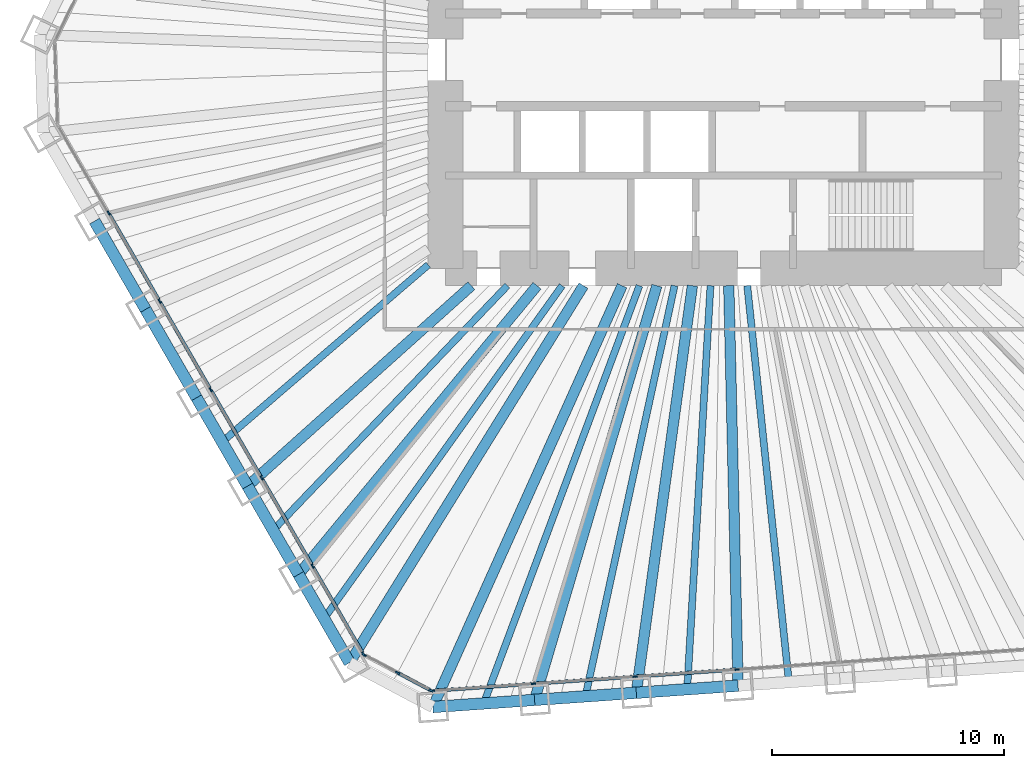
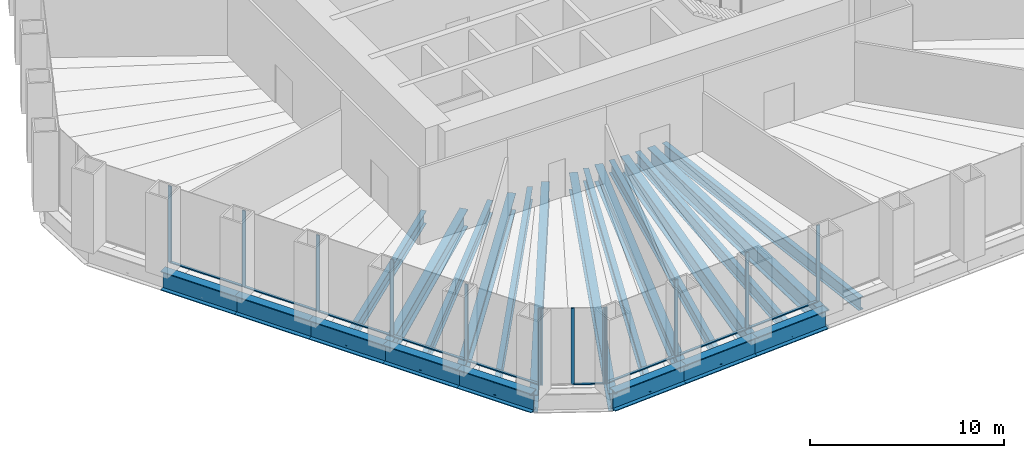
# One storey, part 2 of 13: 22 beams, 22 members, 3 elements without a shape of their own.
"""IFC4 building model written with IfcOpenShell, lengths in metres."""

from ifc_helpers import new_model, si_unit, direction, frame, origin, origin_2d, place, context, subcontext, project, spatial, rectangle, i_section, extrude, material, material_profile, profile_set, type_object, element, aggregate, save


model = new_model("IFC4")

# Units and contexts
model_context = context("Model", 3, precision=1e-05, world=origin(), true_north=direction((0.0, 1.0)))
body_context = subcontext(model_context, "Body", "Model", "MODEL_VIEW")
ifc_project = project(units=[si_unit("LENGTHUNIT", "METRE"), si_unit("AREAUNIT", "SQUARE_METRE"), si_unit("VOLUMEUNIT", "CUBIC_METRE"), si_unit("PLANEANGLEUNIT", "RADIAN"), si_unit("MASSUNIT", "GRAM", prefix="KILO")], contexts=[model_context])

# Site, building, storey
site_placement = place(None, origin())
site = spatial("IfcSite", under=ifc_project, at=site_placement, CompositionType="ELEMENT")
building_placement = place(site_placement, origin())
building = spatial("IfcBuilding", under=site, at=building_placement, Name="Qingtian Harvest Tower", CompositionType="ELEMENT")
storey_placement = place(building_placement, frame((0.0, 0.0, 77.0)))
storey = spatial("IfcBuildingStorey", under=building, at=storey_placement, Name="L15", CompositionType="ELEMENT", Elevation=77.0)

# Beams
ifc_material_1 = material(Name="Steel SM570MC", Category="steel")
ifc_material_profile_1 = material_profile(ifc_material_1, i_section(OverallWidth=0.449951171875, OverallDepth=1.10009765625, WebThickness=0.02197265625, FlangeThickness=0.044921875, at=origin_2d()), Name="H1100x450x22x45")
ifc_profile_set_1 = profile_set([ifc_material_profile_1], Name="Steel SM570MC")
beam_type_1 = type_object("IfcBeamType", Name="Corner floor beam FB8 H1100x450x22x45", PredefinedType="BEAM", material=ifc_profile_set_1)
beam_1_placement = place(storey_placement, frame((-12.552734375, -27.943603515625, -0.75), z_axis=(0.409769605538, 0.912189054077, 0.0), x_axis=(-0.912189054077, 0.409769605538, 0.0)))
element("IfcBeam", 1, at=beam_1_placement, inside=storey, type_object=beam_type_1, Name="Floor beam FB8 S6", PredefinedType="BEAM", context=body_context, shape_type="SweptSolid", body=[
    extrude(i_section(OverallWidth=0.449951171875, OverallDepth=1.10009765625, WebThickness=0.02197265625, FlangeThickness=0.044921875, at=origin_2d()), origin(), (0.0, 0.0, 1.0), 19.945068359375),
])
beam_2_placement = place(storey_placement, frame((-16.14697265625, -26.03271484375, -0.75), z_axis=(0.5270935495, 0.849807266429, 0.0), x_axis=(-0.849807266429, 0.5270935495, 0.0)))
element("IfcBeam", 2, at=beam_2_placement, inside=storey, type_object=beam_type_1, Name="Floor beam FB8 SW0", PredefinedType="BEAM", context=body_context, shape_type="SweptSolid", body=[
    extrude(i_section(OverallWidth=0.449951171875, OverallDepth=1.10009765625, WebThickness=0.02197265625, FlangeThickness=0.044921875, at=origin_2d()), origin(), (0.0, 0.0, 1.0), 19.160400390625),
])
ifc_material_2 = material(Name="Steel SM570MC", Category="steel")
ifc_material_profile_2 = material_profile(ifc_material_2, i_section(OverallWidth=0.449951171875, OverallDepth=1.10009765625, WebThickness=0.02197265625, FlangeThickness=0.044921875, at=origin_2d()), Name="H1100x450x22x45")
ifc_profile_set_2 = profile_set([ifc_material_profile_2], Name="Steel SM570MC")
beam_type_2 = type_object("IfcBeamType", Name="Floor beam FB1 H1100x450x22x45", PredefinedType="BEAM", material=ifc_profile_set_2)
beam_3_placement = place(storey_placement, frame((0.62890625, -27.02197265625, -0.75), z_axis=(-0.023274161941, 0.999729120005, 0.0), x_axis=(-0.999729120005, -0.023274161941, 0.0)))
element("IfcBeam", 3, at=beam_3_placement, inside=storey, type_object=beam_type_2, Name="Floor beam FB1 S3", PredefinedType="BEAM", context=body_context, shape_type="SweptSolid", body=[
    extrude(i_section(OverallWidth=0.449951171875, OverallDepth=1.10009765625, WebThickness=0.02197265625, FlangeThickness=0.044921875, at=origin_2d()), origin(), (0.0, 0.0, 1.0), 17.276611328125),
])
beam_4_placement = place(storey_placement, frame((-3.76513671875, -27.3291015625, -0.75), z_axis=(0.136480966577, 0.990642693287, 0.0), x_axis=(-0.990642693287, 0.136480966577, 0.0)))
element("IfcBeam", 4, at=beam_4_placement, inside=storey, type_object=beam_type_2, Name="Floor beam FB1 S4", PredefinedType="BEAM", context=body_context, shape_type="SweptSolid", body=[
    extrude(i_section(OverallWidth=0.449951171875, OverallDepth=1.10009765625, WebThickness=0.02197265625, FlangeThickness=0.044921875, at=origin_2d()), origin(), (0.0, 0.0, 1.0), 17.7451171875),
])
beam_5_placement = place(storey_placement, frame((-8.158935546875, -27.636474609375, -0.75), z_axis=(0.283142824758, 0.95907775534, 0.0), x_axis=(-0.95907775534, 0.283142824758, 0.0)))
element("IfcBeam", 5, at=beam_5_placement, inside=storey, type_object=beam_type_2, Name="Floor beam FB1 S5", PredefinedType="BEAM", context=body_context, shape_type="SweptSolid", body=[
    extrude(i_section(OverallWidth=0.449951171875, OverallDepth=1.10009765625, WebThickness=0.02197265625, FlangeThickness=0.044921875, at=origin_2d()), origin(), (0.0, 0.0, 1.0), 18.649658203125),
])
beam_6_placement = place(storey_placement, frame((-18.349365234375, -22.21826171875, -0.75), z_axis=(0.636780387972, 0.771045224026, 0.0), x_axis=(-0.771045224026, 0.636780387972, 0.0)))
element("IfcBeam", 6, at=beam_6_placement, inside=storey, type_object=beam_type_2, Name="Floor beam FB1 SW1", PredefinedType="BEAM", context=body_context, shape_type="SweptSolid", body=[
    extrude(i_section(OverallWidth=0.449951171875, OverallDepth=1.10009765625, WebThickness=0.02197265625, FlangeThickness=0.044921875, at=origin_2d()), origin(), (0.0, 0.0, 1.0), 16.170654296875),
])
beam_7_placement = place(storey_placement, frame((-20.551513671875, -18.403564453125, -0.75), z_axis=(0.744965104975, 0.667103434536, 0.0), x_axis=(-0.667103434536, 0.744965104975, 0.0)))
element("IfcBeam", 7, at=beam_7_placement, inside=storey, type_object=beam_type_2, Name="Floor beam FB1 SW2", PredefinedType="BEAM", context=body_context, shape_type="SweptSolid", body=[
    extrude(i_section(OverallWidth=0.449951171875, OverallDepth=1.10009765625, WebThickness=0.02197265625, FlangeThickness=0.044921875, at=origin_2d()), origin(), (0.0, 0.0, 1.0), 12.971923828125),
])
ifc_material_3 = material(Name="Steel SN490B", Category="steel")
ifc_material_profile_3 = material_profile(ifc_material_3, i_section(OverallWidth=0.300048828125, OverallDepth=0.800048828125, WebThickness=0.013916015625, FlangeThickness=0.02587890625, at=origin_2d()), Name="H800x300x14x26")
ifc_profile_set_3 = profile_set([ifc_material_profile_3], Name="Steel SN490B")
beam_type_3 = type_object("IfcBeamType", Name="Floor joist J1 H800x300x14x26", PredefinedType="JOIST", material=ifc_profile_set_3)
beam_8_placement = place(storey_placement, frame((2.82568359375, -26.868408203125, -0.60009765625), z_axis=(-0.104590278152, 0.99451539642, 0.0), x_axis=(-0.99451539642, -0.104590278152, 0.0)))
element("IfcBeam", 8, at=beam_8_placement, inside=storey, type_object=beam_type_3, Name="Floor joist J1 S2", PredefinedType="JOIST", context=body_context, shape_type="SweptSolid", body=[
    extrude(i_section(OverallWidth=0.300048828125, OverallDepth=0.800048828125, WebThickness=0.013916015625, FlangeThickness=0.02587890625, at=origin_2d()), origin(), (0.0, 0.0, 1.0), 17.212890625),
])
beam_9_placement = place(storey_placement, frame((-1.568115234375, -27.175537109375, -0.60009765625), z_axis=(0.057613424947, 0.998338967118, 0.0), x_axis=(-0.998338967118, 0.057613424947, 0.0)))
element("IfcBeam", 9, at=beam_9_placement, inside=storey, type_object=beam_type_3, Name="Floor joist J1 S3", PredefinedType="JOIST", context=body_context, shape_type="SweptSolid", body=[
    extrude(i_section(OverallWidth=0.300048828125, OverallDepth=0.800048828125, WebThickness=0.013916015625, FlangeThickness=0.02587890625, at=origin_2d()), origin(), (0.0, 0.0, 1.0), 17.45458984375),
])
beam_10_placement = place(storey_placement, frame((-5.9619140625, -27.48291015625, -0.60009765625), z_axis=(0.211992805661, 0.977271226604, 0.0), x_axis=(-0.977271226604, 0.211992805661, 0.0)))
element("IfcBeam", 10, at=beam_10_placement, inside=storey, type_object=beam_type_3, Name="Floor joist J1 S4", PredefinedType="JOIST", context=body_context, shape_type="SweptSolid", body=[
    extrude(i_section(OverallWidth=0.300048828125, OverallDepth=0.800048828125, WebThickness=0.013916015625, FlangeThickness=0.02587890625, at=origin_2d()), origin(), (0.0, 0.0, 1.0), 18.145263671875),
])
beam_11_placement = place(storey_placement, frame((-10.35595703125, -27.7900390625, -0.60009765625), z_axis=(0.349193741063, 0.937050548905, 0.0), x_axis=(-0.937050548905, 0.349193741063, 0.0)))
element("IfcBeam", 11, at=beam_11_placement, inside=storey, type_object=beam_type_3, Name="Floor joist J1 S5", PredefinedType="JOIST", context=body_context, shape_type="SweptSolid", body=[
    extrude(i_section(OverallWidth=0.300048828125, OverallDepth=0.800048828125, WebThickness=0.013916015625, FlangeThickness=0.02587890625, at=origin_2d()), origin(), (0.0, 0.0, 1.0), 19.251953125),
])
beam_12_placement = place(storey_placement, frame((-17.248046875, -24.12548828125, -0.60009765625), z_axis=(0.581580544546, 0.81348882611, 0.0), x_axis=(-0.81348882611, 0.581580544546, 0.0)))
element("IfcBeam", 12, at=beam_12_placement, inside=storey, type_object=beam_type_3, Name="Floor joist J1 SW0", PredefinedType="JOIST", context=body_context, shape_type="SweptSolid", body=[
    extrude(i_section(OverallWidth=0.300048828125, OverallDepth=0.800048828125, WebThickness=0.013916015625, FlangeThickness=0.02587890625, at=origin_2d()), origin(), (0.0, 0.0, 1.0), 17.67138671875),
])
beam_13_placement = place(storey_placement, frame((-19.450439453125, -20.31103515625, -0.60009765625), z_axis=(0.691639144398, 0.722243237377, 0.0), x_axis=(-0.722243237377, 0.691639144398, 0.0)))
element("IfcBeam", 13, at=beam_13_placement, inside=storey, type_object=beam_type_3, Name="Floor joist J1 SW1", PredefinedType="JOIST", context=body_context, shape_type="SweptSolid", body=[
    extrude(i_section(OverallWidth=0.300048828125, OverallDepth=0.800048828125, WebThickness=0.013916015625, FlangeThickness=0.02587890625, at=origin_2d()), origin(), (0.0, 0.0, 1.0), 14.62255859375),
])
beam_14_placement = place(storey_placement, frame((-21.652587890625, -16.496337890625, -0.60009765625), z_axis=(0.758605680154, 0.651550014994, 0.0), x_axis=(-0.651550014994, 0.758605680154, 0.0)))
element("IfcBeam", 14, at=beam_14_placement, inside=storey, type_object=beam_type_3, Name="Floor joist J1 SW2", PredefinedType="JOIST", context=body_context, shape_type="SweptSolid", body=[
    extrude(i_section(OverallWidth=0.300048828125, OverallDepth=0.800048828125, WebThickness=0.013916015625, FlangeThickness=0.02587890625, at=origin_2d()), origin(), (0.0, 0.0, 1.0), 11.7353515625),
])

# Curtain wall, members
ifc_material_4 = material(Name="Bronze-anodised aluminium curtain wall", Category="aluminium")
curtain_wall_type = type_object("IfcCurtainWallType", Name="Curtain wall CW2 farm reception", PredefinedType="USERDEFINED", material=ifc_material_4)
curtain_wall_1_placement = place(storey_placement, origin())
curtain_wall_1 = element("IfcCurtainWall", 15, at=curtain_wall_1_placement, inside=storey, type_object=curtain_wall_type, Name="Curtain wall CW2 L15 S0-5", ObjectType="RECESSED CURTAIN WALL", PredefinedType="USERDEFINED")
ifc_material_5 = material(Name="Bronze-anodised aluminium mullion", Category="aluminium")
ifc_material_profile_4 = material_profile(ifc_material_5, rectangle(XDim=0.06494140625, YDim=0.199951171875, at=origin_2d()), Name="AL 65x200")
ifc_profile_set_4 = profile_set([ifc_material_profile_4], Name="Bronze-anodised aluminium mullion")
member_type_1 = type_object("IfcMemberType", Name="Mullion CWM 65x200", PredefinedType="MULLION", material=ifc_profile_set_4)
member_1_placement = place(storey_placement, frame((0.580078125, -26.32373046875, 0.0), z_axis=(0.0, 0.0, 1.0), x_axis=(0.069756473744, -0.99756405026, 0.0)))
member_1 = element("IfcMember", 16, at=member_1_placement, type_object=member_type_1, Name="CW2 mullion 4", PredefinedType="MULLION", context=body_context, shape_type="SweptSolid", body=[
    extrude(rectangle(XDim=0.06494140625, YDim=0.199951171875, at=origin_2d()), origin(), (0.0, 0.0, 1.0), 4.800048828125),
])
member_2_placement = place(storey_placement, frame((-3.81396484375, -26.630859375, 0.0), z_axis=(0.0, 0.0, 1.0), x_axis=(0.069756473744, -0.99756405026, 0.0)))
member_2 = element("IfcMember", 17, at=member_2_placement, type_object=member_type_1, Name="CW2 mullion 5", PredefinedType="MULLION", context=body_context, shape_type="SweptSolid", body=[
    extrude(rectangle(XDim=0.06494140625, YDim=0.199951171875, at=origin_2d()), origin(), (0.0, 0.0, 1.0), 4.800048828125),
])
member_3_placement = place(storey_placement, frame((-8.207763671875, -26.938232421875, 0.0), z_axis=(0.0, 0.0, 1.0), x_axis=(0.069756473744, -0.99756405026, 0.0)))
member_3 = element("IfcMember", 18, at=member_3_placement, type_object=member_type_1, Name="CW2 mullion 6", PredefinedType="MULLION", context=body_context, shape_type="SweptSolid", body=[
    extrude(rectangle(XDim=0.06494140625, YDim=0.199951171875, at=origin_2d()), origin(), (0.0, 0.0, 1.0), 4.800048828125),
])
member_4_placement = place(storey_placement, frame((-12.569091796875, -27.2431640625, 0.0), z_axis=(0.0, 0.0, 1.0), x_axis=(0.069756473744, -0.99756405026, 0.0)))
member_4 = element("IfcMember", 19, at=member_4_placement, type_object=member_type_1, Name="CW2 mullion 7", PredefinedType="MULLION", context=body_context, shape_type="SweptSolid", body=[
    extrude(rectangle(XDim=0.06494140625, YDim=0.199951171875, at=origin_2d()), origin(), (0.0, 0.0, 1.0), 4.800048828125),
])

curtain_wall_2_placement = place(storey_placement, origin())
curtain_wall_2 = element("IfcCurtainWall", 20, at=curtain_wall_2_placement, inside=storey, type_object=curtain_wall_type, Name="Curtain wall CW2 L15 SC", ObjectType="RECESSED CURTAIN WALL", PredefinedType="USERDEFINED")
member_5_placement = place(storey_placement, frame((-12.63037109375, -27.230224609375, 0.0), z_axis=(0.0, 0.0, 1.0), x_axis=(-0.469471562786, -0.882947592859, 0.0)))
member_5 = element("IfcMember", 21, at=member_5_placement, type_object=member_type_1, Name="CW2 mullion 1", PredefinedType="MULLION", context=body_context, shape_type="SweptSolid", body=[
    extrude(rectangle(XDim=0.06494140625, YDim=0.199951171875, at=origin_2d()), origin(), (0.0, 0.0, 1.0), 4.800048828125),
])
member_6_placement = place(storey_placement, frame((-14.0712890625, -26.464111328125, 0.0), z_axis=(0.0, 0.0, 1.0), x_axis=(-0.469471562786, -0.882947592859, 0.0)))
member_6 = element("IfcMember", 22, at=member_6_placement, type_object=member_type_1, Name="CW2 mullion 2", PredefinedType="MULLION", context=body_context, shape_type="SweptSolid", body=[
    extrude(rectangle(XDim=0.06494140625, YDim=0.199951171875, at=origin_2d()), origin(), (0.0, 0.0, 1.0), 4.800048828125),
])
member_7_placement = place(storey_placement, frame((-15.511962890625, -25.697998046875, 0.0), z_axis=(0.0, 0.0, 1.0), x_axis=(-0.469471562786, -0.882947592859, 0.0)))
member_7 = element("IfcMember", 23, at=member_7_placement, type_object=member_type_1, Name="CW2 mullion 3", PredefinedType="MULLION", context=body_context, shape_type="SweptSolid", body=[
    extrude(rectangle(XDim=0.06494140625, YDim=0.199951171875, at=origin_2d()), origin(), (0.0, 0.0, 1.0), 4.800048828125),
])

curtain_wall_3_placement = place(storey_placement, origin())
curtain_wall_3 = element("IfcCurtainWall", 24, at=curtain_wall_3_placement, inside=storey, type_object=curtain_wall_type, Name="Curtain wall CW2 L15 SW0-5", ObjectType="RECESSED CURTAIN WALL", PredefinedType="USERDEFINED")
member_8_placement = place(storey_placement, frame((-15.556884765625, -25.654541015625, 0.0), z_axis=(0.0, 0.0, 1.0), x_axis=(-0.866025403784, -0.5, 0.0)))
member_8 = element("IfcMember", 25, at=member_8_placement, type_object=member_type_1, Name="CW2 mullion 1", PredefinedType="MULLION", context=body_context, shape_type="SweptSolid", body=[
    extrude(rectangle(XDim=0.06494140625, YDim=0.199951171875, at=origin_2d()), origin(), (0.0, 0.0, 1.0), 4.800048828125),
])
member_9_placement = place(storey_placement, frame((-17.742919921875, -21.8681640625, 0.0), z_axis=(0.0, 0.0, 1.0), x_axis=(-0.866025403784, -0.5, 0.0)))
member_9 = element("IfcMember", 26, at=member_9_placement, type_object=member_type_1, Name="CW2 mullion 2", PredefinedType="MULLION", context=body_context, shape_type="SweptSolid", body=[
    extrude(rectangle(XDim=0.06494140625, YDim=0.199951171875, at=origin_2d()), origin(), (0.0, 0.0, 1.0), 4.800048828125),
])
member_10_placement = place(storey_placement, frame((-19.9453125, -18.0537109375, 0.0), z_axis=(0.0, 0.0, 1.0), x_axis=(-0.866025403784, -0.5, 0.0)))
member_10 = element("IfcMember", 27, at=member_10_placement, type_object=member_type_1, Name="CW2 mullion 3", PredefinedType="MULLION", context=body_context, shape_type="SweptSolid", body=[
    extrude(rectangle(XDim=0.06494140625, YDim=0.199951171875, at=origin_2d()), origin(), (0.0, 0.0, 1.0), 4.800048828125),
])
member_11_placement = place(storey_placement, frame((-22.147705078125, -14.2392578125, 0.0), z_axis=(0.0, 0.0, 1.0), x_axis=(-0.866025403784, -0.5, 0.0)))
member_11 = element("IfcMember", 28, at=member_11_placement, type_object=member_type_1, Name="CW2 mullion 4", PredefinedType="MULLION", context=body_context, shape_type="SweptSolid", body=[
    extrude(rectangle(XDim=0.06494140625, YDim=0.199951171875, at=origin_2d()), origin(), (0.0, 0.0, 1.0), 4.800048828125),
])
member_12_placement = place(storey_placement, frame((-24.349853515625, -10.424560546875, 0.0), z_axis=(0.0, 0.0, 1.0), x_axis=(-0.866025403784, -0.5, 0.0)))
member_12 = element("IfcMember", 29, at=member_12_placement, type_object=member_type_1, Name="CW2 mullion 5", PredefinedType="MULLION", context=body_context, shape_type="SweptSolid", body=[
    extrude(rectangle(XDim=0.06494140625, YDim=0.199951171875, at=origin_2d()), origin(), (0.0, 0.0, 1.0), 4.800048828125),
])
member_13_placement = place(storey_placement, frame((-26.55224609375, -6.610107421875, 0.0), z_axis=(0.0, 0.0, 1.0), x_axis=(-0.866025403784, -0.5, 0.0)))
member_13 = element("IfcMember", 30, at=member_13_placement, type_object=member_type_1, Name="CW2 mullion 6", PredefinedType="MULLION", context=body_context, shape_type="SweptSolid", body=[
    extrude(rectangle(XDim=0.06494140625, YDim=0.199951171875, at=origin_2d()), origin(), (0.0, 0.0, 1.0), 4.800048828125),
])

# Beams
ifc_material_6 = material(Name="Steel SM570MC", Category="steel")
ifc_material_profile_5 = material_profile(ifc_material_6, i_section(OverallWidth=0.5, OverallDepth=1.199951171875, WebThickness=0.02490234375, FlangeThickness=0.050048828125, at=origin_2d()), Name="H1200x500x25x50")
ifc_profile_set_5 = profile_set([ifc_material_profile_5], Name="Steel SM570MC")
beam_type_4 = type_object("IfcBeamType", Name="Spandrel beam SB1 H1200x500x25x50", PredefinedType="SPANDREL", material=ifc_profile_set_5)
beam_15_placement = place(storey_placement, frame((0.62890625, -27.02197265625, -0.60009765625), z_axis=(-0.997566143208, -0.069726536735, 0.0), x_axis=(0.069726536735, -0.997566143208, 0.0)))
element("IfcBeam", 31, at=beam_15_placement, inside=storey, type_object=beam_type_4, Name="Spandrel SB1 S3", PredefinedType="SPANDREL", context=body_context, shape_type="SweptSolid", body=[
    extrude(i_section(OverallWidth=0.5, OverallDepth=1.199951171875, WebThickness=0.02490234375, FlangeThickness=0.050048828125, at=origin_2d()), origin(), (0.0, 0.0, 1.0), 4.40478515625),
])
for number, where, z_axis, x_axis, name in (
    (32, (-3.76513671875, -27.3291015625, -0.60009765625), (-0.997562016486, -0.069785551967, 0.0), (0.069785551967, -0.997562016486, 0.0), "Spandrel SB1 S4"),
    (33, (-8.158935546875, -27.636474609375, -0.60009765625), (-0.997565873714, -0.069730392239, 0.0), (0.069730392239, -0.997565873714, 0.0), "Spandrel SB1 S5"),
    (34, (-16.14697265625, -26.03271484375, -0.60009765625), (-0.50001992892, 0.866013897511, 0.0), (-0.866013897511, -0.50001992892, 0.0), "Spandrel SB1 SW0"),
):
    element("IfcBeam", number, at=place(storey_placement, frame(where, z_axis=z_axis, x_axis=x_axis)), inside=storey, type_object=beam_type_4, Name=name, PredefinedType="SPANDREL", context=body_context, shape_type="SweptSolid", body=[
        extrude(i_section(OverallWidth=0.5, OverallDepth=1.199951171875, WebThickness=0.02490234375, FlangeThickness=0.050048828125, at=origin_2d()), origin(), (0.0, 0.0, 1.0), 4.404541015625),
    ])
beam_16_placement = place(storey_placement, frame((-18.349365234375, -22.21826171875, -0.60009765625), z_axis=(-0.499954356739, 0.86605175433, 0.0), x_axis=(-0.86605175433, -0.499954356739, 0.0)))
element("IfcBeam", 35, at=beam_16_placement, inside=storey, type_object=beam_type_4, Name="Spandrel SB1 SW1", PredefinedType="SPANDREL", context=body_context, shape_type="SweptSolid", body=[
    extrude(i_section(OverallWidth=0.5, OverallDepth=1.199951171875, WebThickness=0.02490234375, FlangeThickness=0.050048828125, at=origin_2d()), origin(), (0.0, 0.0, 1.0), 4.40478515625),
])
for number, where, z_axis, x_axis, name in (
    (36, (-20.551513671875, -18.403564453125, -0.60009765625), (-0.50001992892, 0.866013897511, 0.0), (-0.866013897511, -0.50001992892, 0.0), "Spandrel SB1 SW2"),
    (37, (-22.75390625, -14.589111328125, -0.60009765625), (-0.499978356969, 0.866037899034, 0.0), (-0.866037899034, -0.499978356969, 0.0), "Spandrel SB1 SW3"),
    (38, (-24.9560546875, -10.774658203125, -0.60009765625), (-0.50001992892, 0.866013897511, 0.0), (-0.866013897511, -0.50001992892, 0.0), "Spandrel SB1 SW4"),
):
    element("IfcBeam", number, at=place(storey_placement, frame(where, z_axis=z_axis, x_axis=x_axis)), inside=storey, type_object=beam_type_4, Name=name, PredefinedType="SPANDREL", context=body_context, shape_type="SweptSolid", body=[
        extrude(i_section(OverallWidth=0.5, OverallDepth=1.199951171875, WebThickness=0.02490234375, FlangeThickness=0.050048828125, at=origin_2d()), origin(), (0.0, 0.0, 1.0), 4.404541015625),
    ])

# Member
ifc_material_7 = material(Name="Bronze-anodised aluminium transom", Category="aluminium")
ifc_material_profile_6 = material_profile(ifc_material_7, rectangle(XDim=0.14990234375, YDim=0.06494140625, at=origin_2d()), Name="AL 65x150")
ifc_profile_set_6 = profile_set([ifc_material_profile_6], Name="Bronze-anodised aluminium transom")
member_type_2 = type_object("IfcMemberType", Name="Transom CWT 65x150", PredefinedType="USERDEFINED", material=ifc_profile_set_6)
member_14_placement = place(storey_placement, frame((0.547607421875, -26.325927734375, 0.032470703125), z_axis=(-0.997563824095, -0.069759707979, 0.0), x_axis=(0.069759707979, -0.997563824095, 0.0)))
member_14 = element("IfcMember", 39, at=member_14_placement, type_object=member_type_2, Name="CW2 transom 4.1", ObjectType="TRANSOM", PredefinedType="USERDEFINED", context=body_context, shape_type="SweptSolid", body=[
    extrude(rectangle(XDim=0.14990234375, YDim=0.06494140625, at=origin_2d()), origin(), (0.0, 0.0, 1.0), 4.339599609375),
])

member_15_placement = place(storey_placement, frame((-3.84619140625, -26.63330078125, 0.032470703125), z_axis=(-0.997567737508, -0.069703723594, 0.0), x_axis=(0.069703723594, -0.997567737508, 0.0)))
member_15 = element("IfcMember", 40, at=member_15_placement, type_object=member_type_2, Name="CW2 transom 5.1", ObjectType="TRANSOM", PredefinedType="USERDEFINED", context=body_context, shape_type="SweptSolid", body=[
    extrude(rectangle(XDim=0.14990234375, YDim=0.06494140625, at=origin_2d()), origin(), (0.0, 0.0, 1.0), 4.339599609375),
])

member_16_placement = place(storey_placement, frame((-8.240234375, -26.9404296875, 0.032470703125), z_axis=(-0.997562637827, -0.069776669536, 0.0), x_axis=(0.069776669536, -0.997562637827, 0.0)))
member_16 = element("IfcMember", 41, at=member_16_placement, type_object=member_type_2, Name="CW2 transom 6.1", ObjectType="TRANSOM", PredefinedType="USERDEFINED", context=body_context, shape_type="SweptSolid", body=[
    extrude(rectangle(XDim=0.14990234375, YDim=0.06494140625, at=origin_2d()), origin(), (0.0, 0.0, 1.0), 4.30712890625),
])

aggregate(curtain_wall_1, [member_1, member_2, member_3, member_4, member_14, member_15, member_16])

member_17_placement = place(storey_placement, frame((-12.658935546875, -27.21484375, 0.032470703125), z_axis=(-0.882960338349, 0.46944759122, 0.0), x_axis=(-0.46944759122, -0.882960338349, 0.0)))
member_17 = element("IfcMember", 42, at=member_17_placement, type_object=member_type_2, Name="CW2 transom 1.1", ObjectType="TRANSOM", PredefinedType="USERDEFINED", context=body_context, shape_type="SweptSolid", body=[
    extrude(rectangle(XDim=0.14990234375, YDim=0.06494140625, at=origin_2d()), origin(), (0.0, 0.0, 1.0), 1.56689453125),
])

aggregate(curtain_wall_2, [member_5, member_6, member_7, member_17])

member_18_placement = place(storey_placement, frame((-15.5732421875, -25.62646484375, 0.032470703125), z_axis=(-0.499985768833, 0.866033619997, 0.0), x_axis=(-0.866033619997, -0.499985768833, 0.0)))
member_18 = element("IfcMember", 43, at=member_18_placement, type_object=member_type_2, Name="CW2 transom 1.1", ObjectType="TRANSOM", PredefinedType="USERDEFINED", context=body_context, shape_type="SweptSolid", body=[
    extrude(rectangle(XDim=0.14990234375, YDim=0.06494140625, at=origin_2d()), origin(), (0.0, 0.0, 1.0), 4.307373046875),
])

member_19_placement = place(storey_placement, frame((-17.75927734375, -21.840087890625, 0.032470703125), z_axis=(-0.500011390128, 0.866018827591, 0.0), x_axis=(-0.866018827591, -0.500011390128, 0.0)))
member_19 = element("IfcMember", 44, at=member_19_placement, type_object=member_type_2, Name="CW2 transom 2.1", ObjectType="TRANSOM", PredefinedType="USERDEFINED", context=body_context, shape_type="SweptSolid", body=[
    extrude(rectangle(XDim=0.14990234375, YDim=0.06494140625, at=origin_2d()), origin(), (0.0, 0.0, 1.0), 4.33984375),
])

member_20_placement = place(storey_placement, frame((-19.961669921875, -18.025634765625, 0.032470703125), z_axis=(-0.499969196308, 0.866043187574, 0.0), x_axis=(-0.866043187574, -0.499969196308, 0.0)))
member_20 = element("IfcMember", 45, at=member_20_placement, type_object=member_type_2, Name="CW2 transom 3.1", ObjectType="TRANSOM", PredefinedType="USERDEFINED", context=body_context, shape_type="SweptSolid", body=[
    extrude(rectangle(XDim=0.14990234375, YDim=0.06494140625, at=origin_2d()), origin(), (0.0, 0.0, 1.0), 4.339599609375),
])

member_21_placement = place(storey_placement, frame((-22.163818359375, -14.2109375, 0.032470703125), z_axis=(-0.500035751442, 0.866004761696, 0.0), x_axis=(-0.866004761696, -0.500035751442, 0.0)))
member_21 = element("IfcMember", 46, at=member_21_placement, type_object=member_type_2, Name="CW2 transom 4.1", ObjectType="TRANSOM", PredefinedType="USERDEFINED", context=body_context, shape_type="SweptSolid", body=[
    extrude(rectangle(XDim=0.14990234375, YDim=0.06494140625, at=origin_2d()), origin(), (0.0, 0.0, 1.0), 4.339599609375),
])

member_22_placement = place(storey_placement, frame((-24.3662109375, -10.396484375, 0.032470703125), z_axis=(-0.499993556937, 0.866029123656, 0.0), x_axis=(-0.866029123656, -0.499993556937, 0.0)))
member_22 = element("IfcMember", 47, at=member_22_placement, type_object=member_type_2, Name="CW2 transom 5.1", ObjectType="TRANSOM", PredefinedType="USERDEFINED", context=body_context, shape_type="SweptSolid", body=[
    extrude(rectangle(XDim=0.14990234375, YDim=0.06494140625, at=origin_2d()), origin(), (0.0, 0.0, 1.0), 4.33935546875),
])

aggregate(curtain_wall_3, [member_8, member_9, member_10, member_11, member_12, member_13, member_18, member_19, member_20, member_21, member_22])

save(model, "model.ifc")
